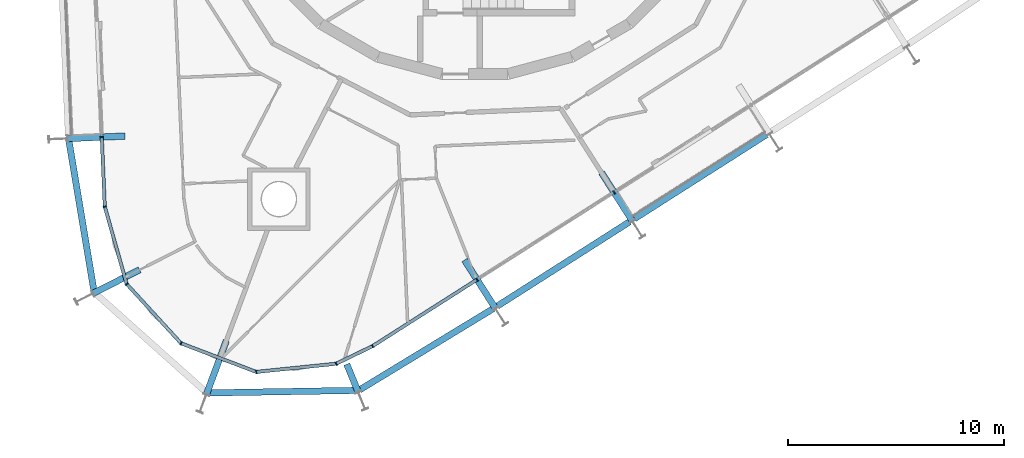
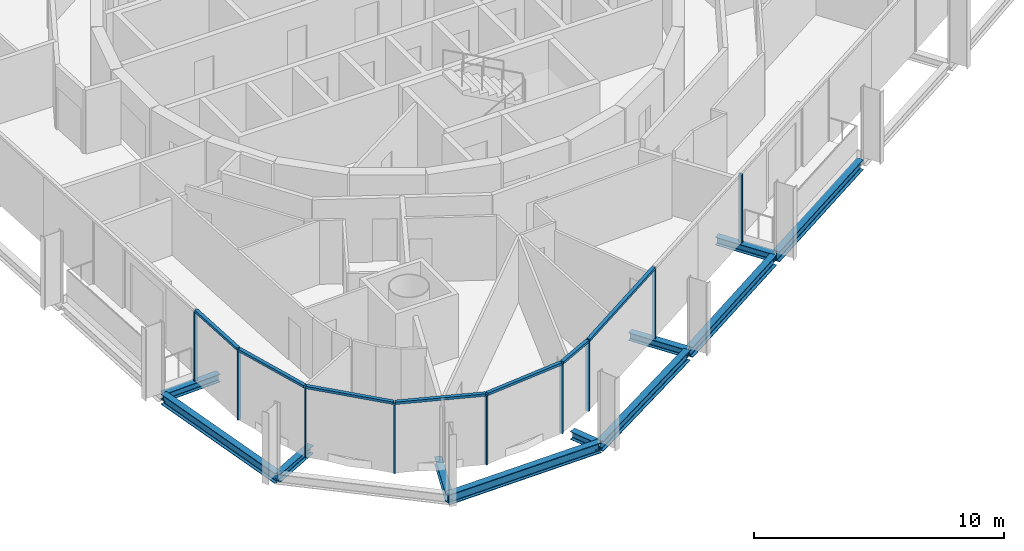
# One storey, part 2 of 17: 16 members, 11 beams, 2 elements without a shape of their own.
"""IFC4 building model written with IfcOpenShell, lengths in metres."""

from ifc_helpers import new_model, si_unit, direction, frame, origin, origin_2d, place, context, subcontext, project, spatial, rectangle, i_section, extrude, material, layer, layer_set, material_profile, profile_set, type_object, element, aggregate, save


model = new_model("IFC4")

# Units and contexts
model_context = context("Model", 3, precision=1e-05, world=origin(), true_north=direction((0.0, 1.0)))
body_context = subcontext(model_context, "Body", "Model", "MODEL_VIEW")
ifc_project = project(units=[si_unit("LENGTHUNIT", "METRE"), si_unit("AREAUNIT", "SQUARE_METRE"), si_unit("VOLUMEUNIT", "CUBIC_METRE"), si_unit("PLANEANGLEUNIT", "RADIAN"), si_unit("MASSUNIT", "GRAM", prefix="KILO")], contexts=[model_context])

# Site, building, storey
site_placement = place(None, origin())
site = spatial("IfcSite", under=ifc_project, at=site_placement, CompositionType="ELEMENT")
building_placement = place(site_placement, origin())
building = spatial("IfcBuilding", under=site, at=building_placement, Name="Spindle Arch Residences", CompositionType="ELEMENT")
storey_placement = place(building_placement, frame((0.0, 0.0, 237.199951171875)))
storey = spatial("IfcBuildingStorey", under=building, at=storey_placement, Name="L60", CompositionType="ELEMENT", Elevation=237.199951171875)

# Curtain wall, members
ifc_material_1 = material(Name="Aluminium bronze unitised frame with tinted glass", Category="aluminium")
ifc_layer_1 = layer(ifc_material_1, 0.159912109375)
ifc_layer_set_1 = layer_set([ifc_layer_1], Name="CW-D corner wall on the fillet arcs")
curtain_wall_type_1 = type_object("IfcCurtainWallType", Name="CW-D corner wall on the fillet arcs", PredefinedType="NOTDEFINED", material=ifc_layer_set_1)
curtain_wall_1_placement = place(storey_placement, origin())
curtain_wall_1 = element("IfcCurtainWall", 1, at=curtain_wall_1_placement, inside=storey, type_object=curtain_wall_type_1, Name="CW-D L60 run 5", PredefinedType="NOTDEFINED")
ifc_material_2 = material(Name="Aluminium bronze anodised mullion", Category="aluminium")
ifc_material_profile_1 = material_profile(ifc_material_2, rectangle(XDim=0.159912109375, YDim=0.06005859375, at=origin_2d()), Name="MU 60x160")
ifc_profile_set_1 = profile_set([ifc_material_profile_1], Name="Aluminium bronze anodised mullion")
member_type_1 = type_object("IfcMemberType", Name="Bronze mullion 60x160", PredefinedType="MULLION", material=ifc_profile_set_1)
member_1_placement = place(storey_placement, frame((-17.295166015625, -14.573486328125, -0.3798828125), z_axis=(0.0, 0.0, 1.0), x_axis=(0.999048221582, 0.043619387365, 0.0)))
member_1 = element("IfcMember", 2, at=member_1_placement, type_object=member_type_1, Name="CW-D mullion 00", PredefinedType="MULLION", context=body_context, shape_type="SweptSolid", body=[
    extrude(rectangle(XDim=0.159912109375, YDim=0.06005859375, at=origin_2d()), origin(), (0.0, 0.0, 1.0), 3.3798828125),
])
member_2_placement = place(storey_placement, frame((-17.154296875, -17.798828125, -0.3798828125), z_axis=(0.0, 0.0, 1.0), x_axis=(0.962059424213, 0.272839997585, 0.0)))
member_2 = element("IfcMember", 3, at=member_2_placement, type_object=member_type_1, Name="CW-D mullion 01", PredefinedType="MULLION", context=body_context, shape_type="SweptSolid", body=[
    extrude(rectangle(XDim=0.159912109375, YDim=0.06005859375, at=origin_2d()), origin(), (0.0, 0.0, 1.0), 3.3798828125),
])
member_3_placement = place(storey_placement, frame((-16.137451171875, -21.384033203125, -0.3798828125), z_axis=(0.0, 0.0, 1.0), x_axis=(0.737277336881, 0.675590207538, 0.0)))
member_3 = element("IfcMember", 4, at=member_3_placement, type_object=member_type_1, Name="CW-D mullion 02", PredefinedType="MULLION", context=body_context, shape_type="SweptSolid", body=[
    extrude(rectangle(XDim=0.159912109375, YDim=0.06005859375, at=origin_2d()), origin(), (0.0, 0.0, 1.0), 3.3798828125),
])
member_4_placement = place(storey_placement, frame((-13.61962890625, -24.1318359375, -0.3798828125), z_axis=(0.0, 0.0, 1.0), x_axis=(0.355650760994, 0.934618925661, 0.0)))
member_4 = element("IfcMember", 5, at=member_4_placement, type_object=member_type_1, Name="CW-D mullion 03", PredefinedType="MULLION", context=body_context, shape_type="SweptSolid", body=[
    extrude(rectangle(XDim=0.159912109375, YDim=0.06005859375, at=origin_2d()), origin(), (0.0, 0.0, 1.0), 3.3798828125),
])
member_5_placement = place(storey_placement, frame((-10.13671875, -25.457275390625, -0.3798828125), z_axis=(0.0, 0.0, 1.0), x_axis=(-0.10163508092, 0.994821748016, 0.0)))
member_5 = element("IfcMember", 6, at=member_5_placement, type_object=member_type_1, Name="CW-D mullion 04", PredefinedType="MULLION", context=body_context, shape_type="SweptSolid", body=[
    extrude(rectangle(XDim=0.159912109375, YDim=0.06005859375, at=origin_2d()), origin(), (0.0, 0.0, 1.0), 3.3798828125),
])
member_6_placement = place(storey_placement, frame((-6.42919921875, -25.078369140625, -0.3798828125), z_axis=(0.0, 0.0, 1.0), x_axis=(-0.435754813823, 0.900065409973, 0.0)))
member_6 = element("IfcMember", 7, at=member_6_placement, type_object=member_type_1, Name="CW-D mullion 05", PredefinedType="MULLION", context=body_context, shape_type="SweptSolid", body=[
    extrude(rectangle(XDim=0.159912109375, YDim=0.06005859375, at=origin_2d()), origin(), (0.0, 0.0, 1.0), 3.3798828125),
])
member_7_placement = place(storey_placement, frame((-4.74072265625, -24.260986328125, -0.3798828125), z_axis=(0.0, 0.0, 1.0), x_axis=(-0.537299608347, 0.843391445813, 0.0)))
member_7 = element("IfcMember", 8, at=member_7_placement, type_object=member_type_1, Name="CW-D mullion 06", PredefinedType="MULLION", context=body_context, shape_type="SweptSolid", body=[
    extrude(rectangle(XDim=0.159912109375, YDim=0.06005859375, at=origin_2d()), origin(), (0.0, 0.0, 1.0), 3.3798828125),
])

ifc_material_3 = material(Name="Aluminium bronze unitised frame with tinted glass", Category="aluminium")
ifc_layer_2 = layer(ifc_material_3, 0.159912109375)
ifc_layer_set_2 = layer_set([ifc_layer_2], Name="CW-C typical residential unitised wall")
curtain_wall_type_2 = type_object("IfcCurtainWallType", Name="CW-C typical residential unitised wall", PredefinedType="NOTDEFINED", material=ifc_layer_set_2)
curtain_wall_2_placement = place(storey_placement, origin())
curtain_wall_2 = element("IfcCurtainWall", 9, at=curtain_wall_2_placement, inside=storey, type_object=curtain_wall_type_2, Name="CW-C L60 run 6", PredefinedType="NOTDEFINED")
member_8_placement = place(storey_placement, frame((0.09912109375, -21.177734375, -0.3798828125), z_axis=(0.0, 0.0, 1.0), x_axis=(-0.537299608347, 0.843391445813, 0.0)))
member_8 = element("IfcMember", 10, at=member_8_placement, type_object=member_type_1, Name="CW-C mullion 20", PredefinedType="MULLION", context=body_context, shape_type="SweptSolid", body=[
    extrude(rectangle(XDim=0.159912109375, YDim=0.06005859375, at=origin_2d()), origin(), (0.0, 0.0, 1.0), 3.3798828125),
])
member_9_placement = place(storey_placement, frame((6.449951171875, -17.1318359375, -0.3798828125), z_axis=(0.0, 0.0, 1.0), x_axis=(-0.537299608347, 0.843391445813, 0.0)))
member_9 = element("IfcMember", 11, at=member_9_placement, type_object=member_type_1, Name="CW-C mullion 21", PredefinedType="MULLION", context=body_context, shape_type="SweptSolid", body=[
    extrude(rectangle(XDim=0.159912109375, YDim=0.06005859375, at=origin_2d()), origin(), (0.0, 0.0, 1.0), 3.3798828125),
])
aggregate(curtain_wall_2, [member_8, member_9])

# Member
ifc_material_4 = material(Name="Aluminium bronze anodised transom", Category="aluminium")
ifc_material_profile_2 = material_profile(ifc_material_4, rectangle(XDim=0.159912109375, YDim=0.1201171875, at=origin_2d()), Name="TR 120x160")
ifc_profile_set_2 = profile_set([ifc_material_profile_2], Name="Aluminium bronze anodised transom")
member_type_2 = type_object("IfcMemberType", Name="Bronze transom 120x160", PredefinedType="USERDEFINED", material=ifc_profile_set_2)
member_10_placement = place(storey_placement, frame((-17.293701171875, -14.603271484375, 3.06005859375), z_axis=(0.043611098121, -0.999048583464, 0.0), x_axis=(0.999048583464, 0.043611098121, 0.0)))
member_10 = element("IfcMember", 12, at=member_10_placement, type_object=member_type_2, Name="CW-D transom 00", ObjectType="TRANSOM", PredefinedType="USERDEFINED", context=body_context, shape_type="SweptSolid", body=[
    extrude(rectangle(XDim=0.159912109375, YDim=0.1201171875, at=origin_2d()), origin(), (0.0, 0.0, 1.0), 3.16845703125),
])

member_11_placement = place(storey_placement, frame((-17.146240234375, -17.82763671875, 3.06005859375), z_axis=(0.272856293247, -0.962054802616, 0.0), x_axis=(0.962054802616, 0.272856293247, 0.0)))
member_11 = element("IfcMember", 13, at=member_11_placement, type_object=member_type_2, Name="CW-D transom 01", ObjectType="TRANSOM", PredefinedType="USERDEFINED", context=body_context, shape_type="SweptSolid", body=[
    extrude(rectangle(XDim=0.159912109375, YDim=0.1201171875, at=origin_2d()), origin(), (0.0, 0.0, 1.0), 3.666748046875),
])

member_12_placement = place(storey_placement, frame((-16.1171875, -21.40625, 3.06005859375), z_axis=(0.675607033687, -0.737261918204, 0.0), x_axis=(0.737261918204, 0.675607033687, 0.0)))
member_12 = element("IfcMember", 14, at=member_12_placement, type_object=member_type_2, Name="CW-D transom 02", ObjectType="TRANSOM", PredefinedType="USERDEFINED", context=body_context, shape_type="SweptSolid", body=[
    extrude(rectangle(XDim=0.159912109375, YDim=0.1201171875, at=origin_2d()), origin(), (0.0, 0.0, 1.0), 3.666748046875),
])

member_13_placement = place(storey_placement, frame((-13.591796875, -24.142578125, 3.06005859375), z_axis=(0.934630056182, -0.355621509587, 0.0), x_axis=(0.355621509587, 0.934630056182, 0.0)))
member_13 = element("IfcMember", 15, at=member_13_placement, type_object=member_type_2, Name="CW-D transom 03", ObjectType="TRANSOM", PredefinedType="USERDEFINED", context=body_context, shape_type="SweptSolid", body=[
    extrude(rectangle(XDim=0.159912109375, YDim=0.1201171875, at=origin_2d()), origin(), (0.0, 0.0, 1.0), 3.666748046875),
])

member_14_placement = place(storey_placement, frame((-10.106689453125, -25.4541015625, 3.06005859375), z_axis=(0.994824669398, 0.101606481862, 0.0), x_axis=(-0.101606481862, 0.994824669398, 0.0)))
member_14 = element("IfcMember", 16, at=member_14_placement, type_object=member_type_2, Name="CW-D transom 04", ObjectType="TRANSOM", PredefinedType="USERDEFINED", context=body_context, shape_type="SweptSolid", body=[
    extrude(rectangle(XDim=0.159912109375, YDim=0.1201171875, at=origin_2d()), origin(), (0.0, 0.0, 1.0), 3.666748046875),
])

member_15_placement = place(storey_placement, frame((-6.402099609375, -25.0654296875, 3.06005859375), z_axis=(0.900028291694, 0.435831474484, 0.0), x_axis=(-0.435831474484, 0.900028291694, 0.0)))
member_15 = element("IfcMember", 17, at=member_15_placement, type_object=member_type_2, Name="CW-D transom 05", ObjectType="TRANSOM", PredefinedType="USERDEFINED", context=body_context, shape_type="SweptSolid", body=[
    extrude(rectangle(XDim=0.159912109375, YDim=0.1201171875, at=origin_2d()), origin(), (0.0, 0.0, 1.0), 1.816162109375),
])

member_16_placement = place(storey_placement, frame((-4.71533203125, -24.244873046875, 3.06005859375), z_axis=(0.843399381096, 0.537287152244, 0.0), x_axis=(-0.537287152244, 0.843399381096, 0.0)))
member_16 = element("IfcMember", 18, at=member_16_placement, type_object=member_type_2, Name="CW-D transom 06", ObjectType="TRANSOM", PredefinedType="USERDEFINED", context=body_context, shape_type="SweptSolid", body=[
    extrude(rectangle(XDim=0.159912109375, YDim=0.1201171875, at=origin_2d()), origin(), (0.0, 0.0, 1.0), 5.678466796875),
])

aggregate(curtain_wall_1, [member_1, member_10, member_2, member_11, member_3, member_12, member_4, member_13, member_5, member_14, member_6, member_15, member_7, member_16])

# Beams
ifc_material_5 = material(Name="Steel S460ML, intumescent coating R 120", Category="steel")
ifc_material_profile_3 = material_profile(ifc_material_5, i_section(OverallWidth=0.300048828125, OverallDepth=0.5, WebThickness=0.014404296875, FlangeThickness=0.028076171875, FilletRadius=0.027099609375, at=origin_2d()), Name="HEB 500")
ifc_profile_set_3 = profile_set([ifc_material_profile_3], Name="Steel S460ML, intumescent coating R 120")
beam_type_1 = type_object("IfcBeamType", Name="Exoskeleton edge beam HEB 500", PredefinedType="BEAM", material=ifc_profile_set_3)
beam_1_placement = place(storey_placement, frame((-18.82763671875, -14.66796875, -0.6298828125), z_axis=(0.164206425822, -0.986425998095, 0.0), x_axis=(0.986425998095, 0.164206425822, 0.0)))
element("IfcBeam", 19, at=beam_1_placement, inside=storey, type_object=beam_type_1, Name="Exoskeleton edge beam 17", PredefinedType="BEAM", context=body_context, shape_type="SweptSolid", body=[
    extrude(i_section(OverallWidth=0.300048828125, OverallDepth=0.5, WebThickness=0.014404296875, FlangeThickness=0.028076171875, FilletRadius=0.027099609375, at=origin_2d()), origin(), (0.0, 0.0, 1.0), 7.196044921875),
])
beam_2_placement = place(storey_placement, frame((-12.4775390625, -26.431884765625, -0.6298828125), z_axis=(0.999854421293, 0.017062714363, 0.0), x_axis=(-0.017062714363, 0.999854421293, 0.0)))
element("IfcBeam", 20, at=beam_2_placement, inside=storey, type_object=beam_type_1, Name="Exoskeleton edge beam 19", PredefinedType="BEAM", context=body_context, shape_type="SweptSolid", body=[
    extrude(i_section(OverallWidth=0.300048828125, OverallDepth=0.5, WebThickness=0.014404296875, FlangeThickness=0.028076171875, FilletRadius=0.027099609375, at=origin_2d()), origin(), (0.0, 0.0, 1.0), 7.096923828125),
])
beam_3_placement = place(storey_placement, frame((-5.353515625, -26.294921875, -0.6298828125), z_axis=(0.854518430604, 0.519421073656, 0.0), x_axis=(-0.519421073656, 0.854518430604, 0.0)))
element("IfcBeam", 21, at=beam_3_placement, inside=storey, type_object=beam_type_1, Name="Exoskeleton edge beam 20", PredefinedType="BEAM", context=body_context, shape_type="SweptSolid", body=[
    extrude(i_section(OverallWidth=0.300048828125, OverallDepth=0.5, WebThickness=0.014404296875, FlangeThickness=0.028076171875, FilletRadius=0.027099609375, at=origin_2d()), origin(), (0.0, 0.0, 1.0), 7.262451171875),
])
for number, where, z_axis, x_axis, name in (
    (22, (1.0361328125, -22.406494140625, -0.6298828125), (0.843406961456, 0.53727525289, 0.0), (-0.53727525289, 0.843406961456, 0.0), "Exoskeleton edge beam 21"),
    (23, (7.386962890625, -18.360595703125, -0.6298828125), (0.843406961456, 0.53727525289, 0.0), (-0.53727525289, 0.843406961456, 0.0), "Exoskeleton edge beam 22"),
):
    element("IfcBeam", number, at=place(storey_placement, frame(where, z_axis=z_axis, x_axis=x_axis)), inside=storey, type_object=beam_type_1, Name=name, PredefinedType="BEAM", context=body_context, shape_type="SweptSolid", body=[
        extrude(i_section(OverallWidth=0.300048828125, OverallDepth=0.5, WebThickness=0.014404296875, FlangeThickness=0.028076171875, FilletRadius=0.027099609375, at=origin_2d()), origin(), (0.0, 0.0, 1.0), 7.27001953125),
    ])
ifc_material_6 = material(Name="Steel S460ML, intumescent coating R 120", Category="steel")
ifc_material_profile_4 = material_profile(ifc_material_6, i_section(OverallWidth=0.300048828125, OverallDepth=0.389892578125, WebThickness=0.010986328125, FlangeThickness=0.01904296875, FilletRadius=0.027099609375, at=origin_2d()), Name="HEA 400")
ifc_profile_set_4 = profile_set([ifc_material_profile_4], Name="Steel S460ML, intumescent coating R 120")
beam_type_2 = type_object("IfcBeamType", Name="Floor outrigger HEA 400", PredefinedType="BEAM", material=ifc_profile_set_4)
beam_4_placement = place(storey_placement, frame((-18.863525390625, -14.641845703125, -0.574951171875), z_axis=(0.999049889571, 0.043581167368, 0.0), x_axis=(-0.043581167368, 0.999049889571, 0.0)))
element("IfcBeam", 24, at=beam_4_placement, inside=storey, type_object=beam_type_2, Name="Floor outrigger 17", PredefinedType="BEAM", context=body_context, shape_type="SweptSolid", body=[
    extrude(i_section(OverallWidth=0.300048828125, OverallDepth=0.389892578125, WebThickness=0.010986328125, FlangeThickness=0.01904296875, FilletRadius=0.027099609375, at=origin_2d()), origin(), (0.0, 0.0, 1.0), 2.649658203125),
])
beam_5_placement = place(storey_placement, frame((-17.687744140625, -21.812744140625, -0.574951171875), z_axis=(0.891781094186, 0.452467103835, 0.0), x_axis=(-0.452467103835, 0.891781094186, 0.0)))
element("IfcBeam", 25, at=beam_5_placement, inside=storey, type_object=beam_type_2, Name="Floor outrigger 18", PredefinedType="BEAM", context=body_context, shape_type="SweptSolid", body=[
    extrude(i_section(OverallWidth=0.300048828125, OverallDepth=0.389892578125, WebThickness=0.010986328125, FlangeThickness=0.01904296875, FilletRadius=0.027099609375, at=origin_2d()), origin(), (0.0, 0.0, 1.0), 2.4130859375),
])
beam_6_placement = place(storey_placement, frame((-12.442626953125, -26.4921875, -0.574951171875), z_axis=(0.348274434102, 0.937392617077, 0.0), x_axis=(-0.937392617077, 0.348274434102, 0.0)))
element("IfcBeam", 26, at=beam_6_placement, inside=storey, type_object=beam_type_2, Name="Floor outrigger 19", PredefinedType="BEAM", context=body_context, shape_type="SweptSolid", body=[
    extrude(i_section(OverallWidth=0.300048828125, OverallDepth=0.389892578125, WebThickness=0.010986328125, FlangeThickness=0.01904296875, FilletRadius=0.027099609375, at=origin_2d()), origin(), (0.0, 0.0, 1.0), 2.64990234375),
])
beam_7_placement = place(storey_placement, frame((-5.41455078125, -26.372314453125, -0.574951171875), z_axis=(-0.380108293875, 0.924941990034, 0.0), x_axis=(-0.924941990034, -0.380108293875, 0.0)))
element("IfcBeam", 27, at=beam_7_placement, inside=storey, type_object=beam_type_2, Name="Floor outrigger 20", PredefinedType="BEAM", context=body_context, shape_type="SweptSolid", body=[
    extrude(i_section(OverallWidth=0.300048828125, OverallDepth=0.389892578125, WebThickness=0.010986328125, FlangeThickness=0.01904296875, FilletRadius=0.027099609375, at=origin_2d()), origin(), (0.0, 0.0, 1.0), 1.37841796875),
])
for number, where, z_axis, x_axis, name in (
    (28, (0.942626953125, -22.501708984375, -0.574951171875), (-0.537316570745, 0.843380639334, 0.0), (-0.843380639334, -0.537316570745, 0.0), "Floor outrigger 21"),
    (29, (7.29345703125, -18.455810546875, -0.574951171875), (-0.537316570745, 0.843380639334, 0.0), (-0.843380639334, -0.537316570745, 0.0), "Floor outrigger 22"),
):
    element("IfcBeam", number, at=place(storey_placement, frame(where, z_axis=z_axis, x_axis=x_axis)), inside=storey, type_object=beam_type_2, Name=name, PredefinedType="BEAM", context=body_context, shape_type="SweptSolid", body=[
        extrude(i_section(OverallWidth=0.300048828125, OverallDepth=0.389892578125, WebThickness=0.010986328125, FlangeThickness=0.01904296875, FilletRadius=0.027099609375, at=origin_2d()), origin(), (0.0, 0.0, 1.0), 2.64990234375),
    ])

save(model, "model.ifc")
